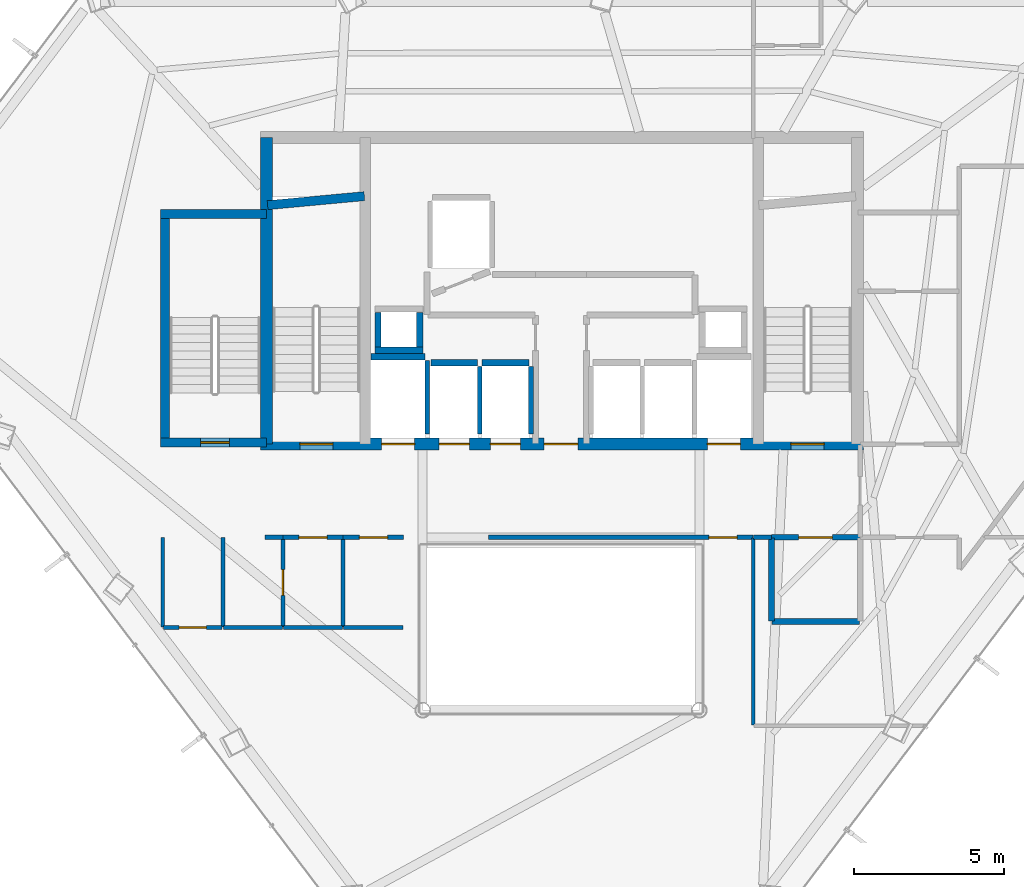
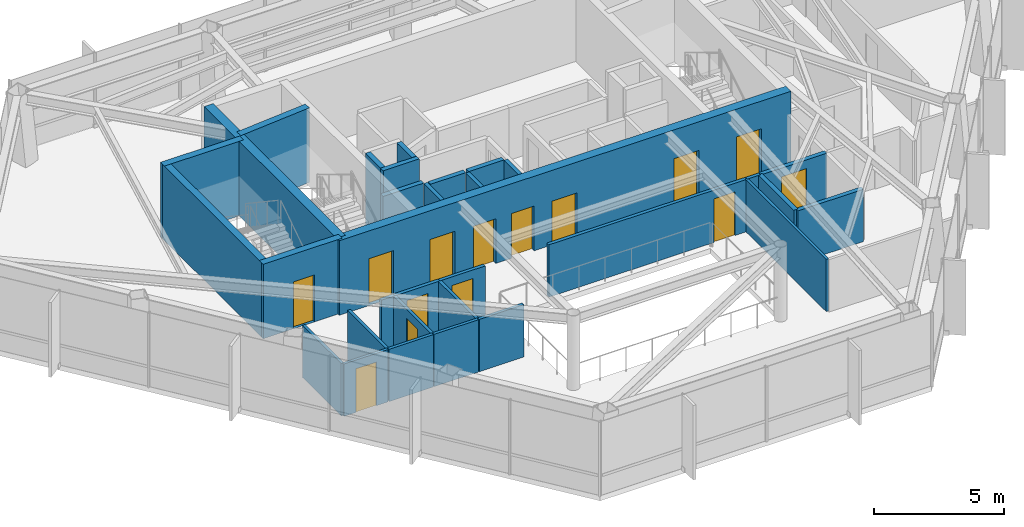
# One storey, part 24 of 27: 32 walls, 14 doors, 14 openings.
"""IFC4 building model written with IfcOpenShell, lengths in metres."""

import ifcopenshell
import ifcopenshell.guid

model = None  # the IFC model being written
_history = None  # IfcOwnerHistory: only IFC2X3 demands one
_inside = {}  # id of a spatial element -> (the spatial element, [elements in it])
_under = {}  # id of a project, library or spatial element -> (it, [spatial elements below it])
_declared = {}  # id of a project -> (the project, [libraries it declares])
_typed = {}  # id of a type object -> (the type object, [elements of that type])
_made_of = {}  # id of a material, layer set ... -> (it, [elements and type objects made of it])


def new_model(schema):
    """Start an empty IFC model of exactly this schema.

    Asked for "IFC4X3", IfcOpenShell would pick the latest addendum, in which some entities
    have other attributes; the version numbers below select the first issue.
    IFC2X3 requires an IfcOwnerHistory on every rooted entity: one is made here for all.
    """
    global model, _history
    if schema == "IFC4X3":
        model = ifcopenshell.file(schema_version=(4, 3, 0, 0))
    else:
        model = ifcopenshell.file(schema=schema)
    _inside.clear()
    _under.clear()
    _declared.clear()
    _typed.clear()
    _made_of.clear()
    _history = None
    if model.schema == "IFC2X3":
        org = make("IfcOrganization", Name="unknown")
        user = make(
            "IfcPersonAndOrganization",
            ThePerson=make("IfcPerson", FamilyName="unknown"),
            TheOrganization=org,
        )
        app = make(
            "IfcApplication",
            ApplicationDeveloper=org,
            Version="unknown",
            ApplicationFullName="unknown",
            ApplicationIdentifier="unknown",
        )
        _history = make(
            "IfcOwnerHistory",
            OwningUser=user,
            OwningApplication=app,
            ChangeAction="ADDED",
            CreationDate=0,
        )
    return model


def make(cls, **values):
    """One entity of the class cls with the attributes given. An attribute that is None is left unset."""
    return model.create_entity(
        cls, **{name: value for name, value in values.items() if value is not None}
    )


def rooted(cls, **values):
    """An entity with a GlobalId (a new one), such as an element, a storey or a relation."""
    return make(cls, GlobalId=ifcopenshell.guid.new(), OwnerHistory=_history, **values)


def si_unit(unit_type, name, prefix=None):
    """IfcSIUnit, for example si_unit("LENGTHUNIT", "METRE", prefix="MILLI")."""
    return make("IfcSIUnit", UnitType=unit_type, Prefix=prefix, Name=name)


def assignment(units):
    """IfcUnitAssignment: the units of a project."""
    return None if units is None else make("IfcUnitAssignment", Units=units)


def point(xyz):
    """IfcCartesianPoint."""
    return None if xyz is None else make("IfcCartesianPoint", Coordinates=xyz)


def direction(xyz):
    """IfcDirection."""
    return None if xyz is None else make("IfcDirection", DirectionRatios=xyz)


def frame(location, z_axis=None, x_axis=None):
    """IfcAxis2Placement3D, a coordinate frame: its origin and axes. An axis left out is left unset."""
    return make(
        "IfcAxis2Placement3D",
        Location=point(location),
        Axis=direction(z_axis),
        RefDirection=direction(x_axis),
    )


def frame_2d(location, x_axis=None):
    """IfcAxis2Placement2D, a coordinate frame in the plane: its origin and x axis."""
    return make(
        "IfcAxis2Placement2D", Location=point(location), RefDirection=direction(x_axis)
    )


def origin():
    """The frame at (0, 0, 0) with its axes left unset."""
    return frame((0.0, 0.0, 0.0))


def place(relative_to, where):
    """IfcLocalPlacement: puts the frame where relative to a parent placement (None: the world)."""
    return make(
        "IfcLocalPlacement", PlacementRelTo=relative_to, RelativePlacement=where
    )


def context(
    kind, dimensions, precision=None, world=None, true_north=None, identifier=None
):
    """IfcGeometricRepresentationContext, for example the 3D "Model" context."""
    return make(
        "IfcGeometricRepresentationContext",
        ContextIdentifier=identifier,
        ContextType=kind,
        CoordinateSpaceDimension=dimensions,
        Precision=precision,
        WorldCoordinateSystem=world,
        TrueNorth=true_north,
    )


def subcontext(parent, identifier, kind, view, scale=None):
    """IfcGeometricRepresentationSubContext, for example "Body" below "Model"."""
    return make(
        "IfcGeometricRepresentationSubContext",
        ContextIdentifier=identifier,
        ContextType=kind,
        ParentContext=parent,
        TargetScale=scale,
        TargetView=view,
    )


def project(units=None, contexts=None):
    """IfcProject with its units and contexts."""
    return rooted(
        "IfcProject",
        Name="project",
        RepresentationContexts=contexts,
        UnitsInContext=assignment(units),
    )


def spatial(cls, under=None, at=None, **own):
    """A site, building, storey or space (cls), placed at a placement, below another one or the project."""
    s = rooted(cls, ObjectPlacement=at, **own)
    if under is not None:
        _under.setdefault(under.id(), (under, []))[1].append(s)
    return s


def profile(cls, at=None, kind="AREA", **sizes):
    """A parametric profile (cls). Its sizes go by their IFC names, for example OverallWidth=200.0."""
    return make(cls, ProfileType=kind, Position=at, **sizes)


def rectangle(**sizes):
    """IfcRectangleProfileDef."""
    return profile("IfcRectangleProfileDef", **sizes)


def extrude(swept, where, along, depth):
    """IfcExtrudedAreaSolid: the profile swept, set in the frame where, extruded along a direction by depth."""
    return make(
        "IfcExtrudedAreaSolid",
        SweptArea=swept,
        Position=where,
        ExtrudedDirection=direction(along),
        Depth=depth,
    )


def shape(context_of_items, identifier, shape_type, items):
    """IfcShapeRepresentation: the items that make up one representation, for example the "Body"."""
    return make(
        "IfcShapeRepresentation",
        ContextOfItems=context_of_items,
        RepresentationIdentifier=identifier,
        RepresentationType=shape_type,
        Items=items,
    )


def material(Name=None, Category=None):
    """IfcMaterial."""
    return make("IfcMaterial", Name=Name, Category=Category)


def layer(
    of_material, thickness, ventilated=None, Name=None, Category=None, Priority=None
):
    """IfcMaterialLayer: one layer of a wall or slab, of a material (None: an air gap)."""
    return make(
        "IfcMaterialLayer",
        Material=of_material,
        LayerThickness=thickness,
        IsVentilated=ventilated,
        Name=Name,
        Category=Category,
        Priority=Priority,
    )


def layer_set(layers, Name=None):
    """IfcMaterialLayerSet."""
    return make("IfcMaterialLayerSet", MaterialLayers=layers, LayerSetName=Name)


def made_of(thing, what):
    """Note that an element or type object is made of a material, layer set ...; save() writes the relation."""
    if what is not None:
        _made_of.setdefault(what.id(), (what, []))[1].append(thing)
    return thing


def type_object(cls, material=None, **own):
    """A type object (cls), such as IfcWallType, which elements share."""
    return made_of(rooted(cls, **own), material)


def element(
    cls,
    number,
    at=None,
    inside=None,
    cuts=None,
    type_object=None,
    material=None,
    context=None,
    identifier="Body",
    shape_type=None,
    held_by="IfcProductDefinitionShape",
    body=None,
    shapes=None,
    **own,
):
    """One element of the class cls, such as IfcWall. Its Tag is "e" and its number.

    at: its placement. inside: the storey or other place that contains it. cuts: it is an
    opening in that element (IfcRelVoidsElement). A single representation is given by context,
    identifier, shape_type and body (its items); several are given by shapes. held_by: the class
    of the entity that holds the representations. save() writes the other relations.
    """
    e = rooted(cls, Tag="e%d" % number, ObjectPlacement=at, **own)
    if body is not None:
        shapes = [shape(context, identifier, shape_type, body)]
    if shapes is not None:
        e.Representation = make(held_by, Representations=shapes)
    if inside is not None:
        _inside.setdefault(inside.id(), (inside, []))[1].append(e)
    if cuts is not None:
        rooted(
            "IfcRelVoidsElement", RelatingBuildingElement=cuts, RelatedOpeningElement=e
        )
    if type_object is not None:
        _typed.setdefault(type_object.id(), (type_object, []))[1].append(e)
    return made_of(e, material)


def fill(opening, filler):
    """IfcRelFillsElement: the door or window that sits in an opening."""
    return rooted(
        "IfcRelFillsElement",
        RelatingOpeningElement=opening,
        RelatedBuildingElement=filler,
    )


def aggregate(whole, parts):
    """IfcRelAggregates: a whole, such as a stair, and the parts it consists of."""
    return rooted("IfcRelAggregates", RelatingObject=whole, RelatedObjects=parts)


def save(model, path):
    """Write the relations noted so far, then the file.

    IfcRelAggregates (storeys below a building ...), IfcRelContainedInSpatialStructure (elements
    in a storey), IfcRelDefinesByType, IfcRelAssociatesMaterial and IfcRelDeclares: one each for
    every whole, place, type object, material and project.
    """
    for whole, parts in _under.values():
        aggregate(whole, parts)
    for where, things in _inside.values():
        rooted(
            "IfcRelContainedInSpatialStructure",
            RelatedElements=things,
            RelatingStructure=where,
        )
    for kind, things in _typed.values():
        rooted("IfcRelDefinesByType", RelatedObjects=things, RelatingType=kind)
    for what, things in _made_of.values():
        rooted("IfcRelAssociatesMaterial", RelatedObjects=things, RelatingMaterial=what)
    for by, libraries in _declared.values():
        rooted("IfcRelDeclares", RelatingContext=by, RelatedDefinitions=libraries)
    model.write(path)


model = new_model("IFC4")

# Units and contexts
model_context = context("Model", 3, precision=1e-05, world=origin(), true_north=direction((0.0, 1.0)))
body_context = subcontext(model_context, "Body", "Model", "MODEL_VIEW")
ifc_project = project(units=[si_unit("LENGTHUNIT", "METRE"), si_unit("AREAUNIT", "SQUARE_METRE"), si_unit("VOLUMEUNIT", "CUBIC_METRE"), si_unit("PLANEANGLEUNIT", "RADIAN"), si_unit("MASSUNIT", "GRAM", prefix="KILO")], contexts=[model_context])

# Site, building, storey
site_placement = place(None, origin())
site = spatial("IfcSite", under=ifc_project, at=site_placement, CompositionType="ELEMENT")
building_placement = place(site_placement, origin())
building = spatial("IfcBuilding", under=site, at=building_placement, Name="Zarrinselat Tower", CompositionType="ELEMENT")
storey_placement = place(building_placement, frame((0.0, 0.0, 183.260009765625)))
storey = spatial("IfcBuildingStorey", under=building, at=storey_placement, Name="L45", CompositionType="ELEMENT", Elevation=183.260009765625)

# Wall, opening, door
ifc_material_1 = material(Name="Concrete C40/50", Category="concrete")
ifc_layer_1 = layer(ifc_material_1, 0.18994140625)
ifc_layer_set_1 = layer_set([ifc_layer_1], Name="Concrete C40/50")
wall_type_1 = type_object("IfcWallType", Name="WAL-PART-EI120", PredefinedType="PARTITIONING", material=ifc_layer_set_1)
wall_1_placement = place(storey_placement, frame((45.405029296875, 30.14990234375, 0.0), z_axis=(0.0, 0.0, 1.0), x_axis=(1.0, 0.0, 0.0)))
wall_1 = element("IfcWall", 1, at=wall_1_placement, inside=storey, type_object=wall_type_1, Name="L45 Partition Wall 10", PredefinedType="PARTITIONING", context=body_context, shape_type="SweptSolid", body=[
    extrude(rectangle(XDim=2.925048828125, YDim=0.18994140625, at=frame_2d((1.46240234375, 0.0))), origin(), (0.0, 0.0, 1.0), 2.45703125),
])
opening_1_placement = place(wall_1_placement, frame((0.902587890625, 0.0, 0.0)))
opening_1 = element("IfcOpeningElement", 2, at=opening_1_placement, cuts=wall_1, Name="Opening ID-02", PredefinedType="OPENING", context=body_context, shape_type="SweptSolid", body=[
    extrude(rectangle(XDim=1.1201171875, YDim=2.050048828125, at=frame_2d((0.56005859375, 1.02490234375))), frame((0.0, 0.10498046875, 0.0), z_axis=(0.0, -1.0, 0.0), x_axis=(1.0, 0.0, 0.0)), (0.0, 0.0, 1.0), 0.2099609375),
])
ifc_material_2 = material(Name="Steel S355J2", Category="steel")
door_type_1 = type_object("IfcDoorType", Name="DR-INT-FD60-W", OperationType="NOTDEFINED", PredefinedType="DOOR", material=ifc_material_2)
door_1_placement = place(opening_1_placement, origin())
door_1 = element("IfcDoor", 3, at=door_1_placement, inside=storey, type_object=door_type_1, Name="L45 Interior Door P10", OperationType="SINGLE_SWING_LEFT", OverallHeight=2.050048828125, OverallWidth=1.1201171875, PredefinedType="DOOR", context=body_context, shape_type="SweptSolid", body=[
    extrude(rectangle(XDim=1.1201171875, YDim=2.050048828125, at=frame_2d((0.56005859375, 1.02490234375))), frame((0.0, 0.02490234375, 0.0), z_axis=(0.0, -1.0, 0.0), x_axis=(1.0, 0.0, 0.0)), (0.0, 0.0, 1.0), 0.050048828125),
])
fill(opening_1, door_1)

# Walls
wall_2_placement = place(storey_placement, frame((45.419921875, 27.35009765625, 0.0), z_axis=(0.0, 0.0, 1.0), x_axis=(1.0, 0.0, 0.0)))
element("IfcWall", 4, at=wall_2_placement, inside=storey, type_object=wall_type_1, Name="L45 Partition Wall 17", PredefinedType="PARTITIONING", context=body_context, shape_type="SweptSolid", body=[
    extrude(rectangle(XDim=2.91015625, YDim=0.18994140625, at=frame_2d((1.455078125, 0.0))), origin(), (0.0, 0.0, 1.0), 2.45703125),
])
wall_3_placement = place(storey_placement, frame((45.39990234375, 27.3701171875, 0.0), z_axis=(0.0, 0.0, 1.0), x_axis=(0.0, 1.0, 0.0)))
element("IfcWall", 5, at=wall_3_placement, inside=storey, type_object=wall_type_1, Name="L45 Partition Wall 18", PredefinedType="PARTITIONING", context=body_context, shape_type="SweptSolid", body=[
    extrude(rectangle(XDim=2.759765625, YDim=0.18994140625, at=frame_2d((1.3798828125, 0.0))), origin(), (0.0, 0.0, 1.0), 2.45703125),
])
ifc_material_3 = material(Name="Fire-Rated Gypsum Board Partition", Category="gypsum")
ifc_layer_2 = layer(ifc_material_3, 0.14990234375)
ifc_layer_set_2 = layer_set([ifc_layer_2], Name="Fire-Rated Gypsum Board Partition")
wall_type_2 = type_object("IfcWallType", Name="WAL-PART-EI60", PredefinedType="PARTITIONING", material=ifc_layer_set_2)
wall_4_placement = place(storey_placement, frame((28.550048828125, 30.14990234375, 0.0), z_axis=(0.0, 0.0, 1.0), x_axis=(1.0, 0.0, 0.0)))
element("IfcWall", 6, at=wall_4_placement, inside=storey, type_object=wall_type_2, Name="L45 Partition Wall 12", PredefinedType="PARTITIONING", context=body_context, shape_type="SweptSolid", body=[
    extrude(rectangle(XDim=0.594970703125, YDim=0.14990234375, at=frame_2d((0.29736328125, 0.0))), origin(), (0.0, 0.0, 1.0), 2.45703125),
])

# Wall, opening, door
wall_5_placement = place(storey_placement, frame((29.155029296875, 30.14990234375, 0.0), z_axis=(0.0, 0.0, 1.0), x_axis=(1.0, 0.0, 0.0)))
wall_5 = element("IfcWall", 7, at=wall_5_placement, inside=storey, type_object=wall_type_2, Name="L45 Partition Wall 13", PredefinedType="PARTITIONING", context=body_context, shape_type="SweptSolid", body=[
    extrude(rectangle(XDim=1.989990234375, YDim=0.14990234375, at=frame_2d((0.9951171875, 0.0))), origin(), (0.0, 0.0, 1.0), 2.45703125),
])
opening_2_placement = place(wall_5_placement, frame((0.52490234375, 0.0, 0.0)))
opening_2 = element("IfcOpeningElement", 8, at=opening_2_placement, cuts=wall_5, Name="Opening ID-04", PredefinedType="OPENING", context=body_context, shape_type="SweptSolid", body=[
    extrude(rectangle(XDim=0.93994140625, YDim=2.050048828125, at=frame_2d((0.469970703125, 1.02490234375))), frame((0.0, 0.0849609375, 0.0), z_axis=(0.0, -1.0, 0.0), x_axis=(1.0, 0.0, 0.0)), (0.0, 0.0, 1.0), 0.169921875),
])
ifc_material_4 = material(Name="Fire-Rated Gypsum Board Partition")
door_type_2 = type_object("IfcDoorType", Name="DR-INT-FD30-ENT", OperationType="NOTDEFINED", PredefinedType="DOOR", material=ifc_material_4)
door_2_placement = place(opening_2_placement, origin())
door_2 = element("IfcDoor", 9, at=door_2_placement, inside=storey, type_object=door_type_2, Name="L45 Interior Door P13", OperationType="SINGLE_SWING_LEFT", OverallHeight=2.050048828125, OverallWidth=0.93994140625, PredefinedType="DOOR", context=body_context, shape_type="SweptSolid", body=[
    extrude(rectangle(XDim=0.93994140625, YDim=2.050048828125, at=frame_2d((0.469970703125, 1.02490234375))), frame((0.0, 0.02490234375, 0.0), z_axis=(0.0, -1.0, 0.0), x_axis=(1.0, 0.0, 0.0)), (0.0, 0.0, 1.0), 0.050048828125),
])
fill(opening_2, door_2)

wall_6_placement = place(storey_placement, frame((31.155029296875, 30.14990234375, 0.0), z_axis=(0.0, 0.0, 1.0), x_axis=(1.0, 0.0, 0.0)))
wall_6 = element("IfcWall", 10, at=wall_6_placement, inside=storey, type_object=wall_type_2, Name="L45 Partition Wall 14", PredefinedType="PARTITIONING", context=body_context, shape_type="SweptSolid", body=[
    extrude(rectangle(XDim=2.010009765625, YDim=0.14990234375, at=frame_2d((1.0048828125, 0.0))), origin(), (0.0, 0.0, 1.0), 2.45703125),
])
opening_3_placement = place(wall_6_placement, frame((0.534912109375, 0.0, 0.0)))
opening_3 = element("IfcOpeningElement", 11, at=opening_3_placement, cuts=wall_6, Name="Opening ID-04", PredefinedType="OPENING", context=body_context, shape_type="SweptSolid", body=[
    extrude(rectangle(XDim=0.93994140625, YDim=2.050048828125, at=frame_2d((0.469970703125, 1.02490234375))), frame((0.0, 0.0849609375, 0.0), z_axis=(0.0, -1.0, 0.0), x_axis=(1.0, 0.0, 0.0)), (0.0, 0.0, 1.0), 0.169921875),
])
door_3_placement = place(opening_3_placement, origin())
door_3 = element("IfcDoor", 12, at=door_3_placement, inside=storey, type_object=door_type_2, Name="L45 Interior Door P14", OperationType="SINGLE_SWING_RIGHT", OverallHeight=2.050048828125, OverallWidth=0.93994140625, PredefinedType="DOOR", context=body_context, shape_type="SweptSolid", body=[
    extrude(rectangle(XDim=0.93994140625, YDim=2.050048828125, at=frame_2d((0.469970703125, 1.02490234375))), frame((0.0, 0.02490234375, 0.0), z_axis=(0.0, -1.0, 0.0), x_axis=(1.0, 0.0, 0.0)), (0.0, 0.0, 1.0), 0.050048828125),
])
fill(opening_3, door_3)

wall_7_placement = place(storey_placement, frame((35.985107421875, 30.14990234375, 0.0), z_axis=(0.0, 0.0, 1.0), x_axis=(1.0, 0.0, 0.0)))
wall_7 = element("IfcWall", 13, at=wall_7_placement, inside=storey, type_object=wall_type_2, Name="L45 Partition Wall 15", PredefinedType="PARTITIONING", context=body_context, shape_type="SweptSolid", body=[
    extrude(rectangle(XDim=8.809814453125, YDim=0.14990234375, at=frame_2d((4.40478515625, 0.0))), origin(), (0.0, 0.0, 1.0), 2.45703125),
])
opening_4_placement = place(wall_7_placement, frame((7.3349609375, 0.0, 0.0)))
opening_4 = element("IfcOpeningElement", 14, at=opening_4_placement, cuts=wall_7, Name="Opening ID-04", PredefinedType="OPENING", context=body_context, shape_type="SweptSolid", body=[
    extrude(rectangle(XDim=0.93994140625, YDim=2.050048828125, at=frame_2d((0.469970703125, 1.02490234375))), frame((0.0, 0.0849609375, 0.0), z_axis=(0.0, -1.0, 0.0), x_axis=(1.0, 0.0, 0.0)), (0.0, 0.0, 1.0), 0.169921875),
])
door_4_placement = place(opening_4_placement, origin())
door_4 = element("IfcDoor", 15, at=door_4_placement, inside=storey, type_object=door_type_2, Name="L45 Interior Door P15", OperationType="SINGLE_SWING_LEFT", OverallHeight=2.050048828125, OverallWidth=0.93994140625, PredefinedType="DOOR", context=body_context, shape_type="SweptSolid", body=[
    extrude(rectangle(XDim=0.93994140625, YDim=2.050048828125, at=frame_2d((0.469970703125, 1.02490234375))), frame((0.0, 0.02490234375, 0.0), z_axis=(0.0, -1.0, 0.0), x_axis=(1.0, 0.0, 0.0)), (0.0, 0.0, 1.0), 0.050048828125),
])
fill(opening_4, door_4)

# Wall
wall_8_placement = place(storey_placement, frame((44.804931640625, 30.14990234375, 0.0), z_axis=(0.0, 0.0, 1.0), x_axis=(1.0, 0.0, 0.0)))
element("IfcWall", 16, at=wall_8_placement, inside=storey, type_object=wall_type_2, Name="L45 Partition Wall 16", PredefinedType="PARTITIONING", context=body_context, shape_type="SweptSolid", body=[
    extrude(rectangle(XDim=0.590087890625, YDim=0.14990234375, at=frame_2d((0.294921875, 0.0))), origin(), (0.0, 0.0, 1.0), 2.45703125),
])

# Wall, opening, door
ifc_material_5 = material(Name="Fire-Rated Gypsum Board Partition", Category="gypsum")
ifc_layer_3 = layer(ifc_material_5, 0.1201171875)
ifc_layer_set_3 = layer_set([ifc_layer_3], Name="Fire-Rated Gypsum Board Partition")
wall_type_3 = type_object("IfcWallType", Name="WAL-PART-STD", PredefinedType="PARTITIONING", material=ifc_layer_set_3)
wall_9_placement = place(storey_placement, frame((25.169921875, 27.14990234375, 0.0), z_axis=(0.0, 0.0, 1.0), x_axis=(1.0, 0.0, 0.0)))
wall_9 = element("IfcWall", 17, at=wall_9_placement, inside=storey, type_object=wall_type_3, Name="L45 Partition Wall 31", PredefinedType="PARTITIONING", context=body_context, shape_type="SweptSolid", body=[
    extrude(rectangle(XDim=1.9599609375, YDim=0.1201171875, at=frame_2d((0.97998046875, 0.0))), origin(), (0.0, 0.0, 1.0), 2.45703125),
])
opening_5_placement = place(wall_9_placement, frame((0.530029296875, 0.0, 0.0)))
opening_5 = element("IfcOpeningElement", 18, at=opening_5_placement, cuts=wall_9, Name="Opening ID-05", PredefinedType="OPENING", context=body_context, shape_type="SweptSolid", body=[
    extrude(rectangle(XDim=0.89990234375, YDim=2.050048828125, at=frame_2d((0.449951171875, 1.02490234375))), frame((0.0, 0.070068359375, 0.0), z_axis=(0.0, -1.0, 0.0), x_axis=(1.0, 0.0, 0.0)), (0.0, 0.0, 1.0), 0.14013671875),
])
ifc_material_6 = material(Name="Extruded Aluminium Alloy EN AW-6063 T6", Category="aluminium")
door_type_3 = type_object("IfcDoorType", Name="DR-INT-STD-920", OperationType="NOTDEFINED", PredefinedType="DOOR", material=ifc_material_6)
door_5_placement = place(opening_5_placement, origin())
door_5 = element("IfcDoor", 19, at=door_5_placement, inside=storey, type_object=door_type_3, Name="L45 Interior Door P31", OperationType="SINGLE_SWING_RIGHT", OverallHeight=2.050048828125, OverallWidth=0.89990234375, PredefinedType="DOOR", context=body_context, shape_type="SweptSolid", body=[
    extrude(rectangle(XDim=0.89990234375, YDim=2.050048828125, at=frame_2d((0.449951171875, 1.02490234375))), frame((0.0, 0.02490234375, 0.0), z_axis=(0.0, -1.0, 0.0), x_axis=(1.0, 0.0, 0.0)), (0.0, 0.0, 1.0), 0.050048828125),
])
fill(opening_5, door_5)

# Walls
wall_10_placement = place(storey_placement, frame((25.14990234375, 27.169921875, 0.0), z_axis=(0.0, 0.0, 1.0), x_axis=(0.0, 1.0, 0.0)))
element("IfcWall", 20, at=wall_10_placement, inside=storey, type_object=wall_type_3, Name="L45 Partition Wall 32", PredefinedType="PARTITIONING", context=body_context, shape_type="SweptSolid", body=[
    extrude(rectangle(XDim=2.97998046875, YDim=0.1201171875, at=frame_2d((1.489990234375, 0.0))), origin(), (0.0, 0.0, 1.0), 2.45703125),
])
wall_11_placement = place(storey_placement, frame((44.800048828125, 23.902587890625, 0.0), z_axis=(0.0, 0.0, 1.0), x_axis=(0.0, 1.0, 0.0)))
element("IfcWall", 21, at=wall_11_placement, inside=storey, type_object=wall_type_3, Name="L45 Partition Wall 38", PredefinedType="PARTITIONING", context=body_context, shape_type="SweptSolid", body=[
    extrude(rectangle(XDim=6.227294921875, YDim=0.1201171875, at=frame_2d((3.11376953125, 0.0))), origin(), (0.0, 0.0, 1.0), 2.45703125),
])
ifc_material_7 = material(Name="Fire-Rated Gypsum Board Partition", Category="gypsum")
ifc_layer_4 = layer(ifc_material_7, 0.135009765625)
ifc_layer_set_4 = layer_set([ifc_layer_4], Name="Fire-Rated Gypsum Board Partition")
wall_type_4 = type_object("IfcWallType", Name="WAL-PART-WET", PredefinedType="PARTITIONING", material=ifc_layer_set_4)
wall_12_placement = place(storey_placement, frame((27.14990234375, 27.169921875, 0.0), z_axis=(0.0, 0.0, 1.0), x_axis=(0.0, 1.0, 0.0)))
element("IfcWall", 22, at=wall_12_placement, inside=storey, type_object=wall_type_4, Name="L45 Partition Wall 30", PredefinedType="PARTITIONING", context=body_context, shape_type="SweptSolid", body=[
    extrude(rectangle(XDim=2.97998046875, YDim=0.135009765625, at=frame_2d((1.489990234375, 0.0))), origin(), (0.0, 0.0, 1.0), 2.45703125),
])

# Wall, opening, door
wall_13_placement = place(storey_placement, frame((29.14990234375, 27.169921875, 0.0), z_axis=(0.0, 0.0, 1.0), x_axis=(0.0, 1.0, 0.0)))
wall_13 = element("IfcWall", 23, at=wall_13_placement, inside=storey, type_object=wall_type_4, Name="L45 Partition Wall 33", PredefinedType="PARTITIONING", context=body_context, shape_type="SweptSolid", body=[
    extrude(rectangle(XDim=2.9599609375, YDim=0.135009765625, at=frame_2d((1.47998046875, 0.0))), origin(), (0.0, 0.0, 1.0), 2.45703125),
])
opening_6_placement = place(wall_13_placement, frame((1.050048828125, 0.0, 0.0)))
opening_6 = element("IfcOpeningElement", 24, at=opening_6_placement, cuts=wall_13, Name="Opening ID-06", PredefinedType="OPENING", context=body_context, shape_type="SweptSolid", body=[
    extrude(rectangle(XDim=0.860107421875, YDim=2.050048828125, at=frame_2d((0.43017578125, 1.02490234375))), frame((0.0, 0.077392578125, 0.0), z_axis=(0.0, -1.0, 0.0), x_axis=(1.0, 0.0, 0.0)), (0.0, 0.0, 1.0), 0.155029296875),
])
ifc_material_8 = material(Name="Extruded Aluminium Alloy EN AW-6063 T6", Category="aluminium")
door_type_4 = type_object("IfcDoorType", Name="DR-INT-WET-900", OperationType="NOTDEFINED", PredefinedType="DOOR", material=ifc_material_8)
door_6_placement = place(opening_6_placement, origin())
door_6 = element("IfcDoor", 25, at=door_6_placement, inside=storey, type_object=door_type_4, Name="L45 Interior Door P33", OperationType="SINGLE_SWING_LEFT", OverallHeight=2.050048828125, OverallWidth=0.860107421875, PredefinedType="DOOR", context=body_context, shape_type="SweptSolid", body=[
    extrude(rectangle(XDim=0.860107421875, YDim=2.050048828125, at=frame_2d((0.43017578125, 1.02490234375))), frame((0.0, 0.02490234375, 0.0), z_axis=(0.0, -1.0, 0.0), x_axis=(1.0, 0.0, 0.0)), (0.0, 0.0, 1.0), 0.050048828125),
])
fill(opening_6, door_6)

# Walls
wall_14_placement = place(storey_placement, frame((27.169921875, 27.14990234375, 0.0), z_axis=(0.0, 0.0, 1.0), x_axis=(1.0, 0.0, 0.0)))
element("IfcWall", 26, at=wall_14_placement, inside=storey, type_object=wall_type_4, Name="L45 Partition Wall 34", PredefinedType="PARTITIONING", context=body_context, shape_type="SweptSolid", body=[
    extrude(rectangle(XDim=1.9599609375, YDim=0.135009765625, at=frame_2d((0.97998046875, 0.0))), origin(), (0.0, 0.0, 1.0), 2.45703125),
])
wall_15_placement = place(storey_placement, frame((31.14990234375, 27.169921875, 0.0), z_axis=(0.0, 0.0, 1.0), x_axis=(0.0, 1.0, 0.0)))
element("IfcWall", 27, at=wall_15_placement, inside=storey, type_object=wall_type_4, Name="L45 Partition Wall 35", PredefinedType="PARTITIONING", context=body_context, shape_type="SweptSolid", body=[
    extrude(rectangle(XDim=2.9599609375, YDim=0.135009765625, at=frame_2d((1.47998046875, 0.0))), origin(), (0.0, 0.0, 1.0), 2.45703125),
])
wall_16_placement = place(storey_placement, frame((29.169921875, 27.14990234375, 0.0), z_axis=(0.0, 0.0, 1.0), x_axis=(1.0, 0.0, 0.0)))
element("IfcWall", 28, at=wall_16_placement, inside=storey, type_object=wall_type_4, Name="L45 Partition Wall 36", PredefinedType="PARTITIONING", context=body_context, shape_type="SweptSolid", body=[
    extrude(rectangle(XDim=1.9599609375, YDim=0.135009765625, at=frame_2d((0.97998046875, 0.0))), origin(), (0.0, 0.0, 1.0), 2.45703125),
])
wall_17_placement = place(storey_placement, frame((31.169921875, 27.14990234375, 0.0), z_axis=(0.0, 0.0, 1.0), x_axis=(1.0, 0.0, 0.0)))
element("IfcWall", 29, at=wall_17_placement, inside=storey, type_object=wall_type_4, Name="L45 Partition Wall 37", PredefinedType="PARTITIONING", context=body_context, shape_type="SweptSolid", body=[
    extrude(rectangle(XDim=1.97998046875, YDim=0.135009765625, at=frame_2d((0.989990234375, 0.0))), origin(), (0.0, 0.0, 1.0), 2.45703125),
])
ifc_material_9 = material(Name="Concrete C40/50", Category="concrete")
ifc_layer_5 = layer(ifc_material_9, 0.2099609375)
ifc_layer_set_5 = layer_set([ifc_layer_5], Name="Concrete C40/50")
wall_type_5 = type_object("IfcWallType", Name="WAL-SHAFT-210", PredefinedType="SOLIDWALL", material=ifc_layer_set_5)
wall_18_placement = place(storey_placement, frame((32.080078125, 36.155029296875, 0.0), z_axis=(0.0, 0.0, 1.0), x_axis=(1.0, 0.0, 0.0)))
element("IfcWall", 30, at=wall_18_placement, inside=storey, type_object=wall_type_5, Name="L45 Lift FFL1 North Shaft Wall", PredefinedType="SOLIDWALL", context=body_context, shape_type="SweptSolid", body=[
    extrude(rectangle(XDim=1.7998046875, YDim=0.2099609375, at=frame_2d((0.89990234375, 0.0))), origin(), (0.0, 0.0, 1.0), 2.471923828125),
])
wall_19_placement = place(storey_placement, frame((33.949951171875, 33.580078125, 0.0), z_axis=(0.0, 0.0, 1.0), x_axis=(0.0, 1.0, 0.0)))
element("IfcWall", 31, at=wall_19_placement, inside=storey, type_object=wall_type_5, Name="L45 Lift FFL1 E Shaft Wall", PredefinedType="SOLIDWALL", context=body_context, shape_type="SweptSolid", body=[
    extrude(rectangle(XDim=2.449951171875, YDim=0.159912109375, at=frame_2d((1.22509765625, 0.0))), origin(), (0.0, 0.0, 1.0), 2.471923828125),
])
wall_20_placement = place(storey_placement, frame((34.070068359375, 35.955078125, 0.0), z_axis=(0.0, 0.0, 1.0), x_axis=(1.0, 0.0, 0.0)))
element("IfcWall", 32, at=wall_20_placement, inside=storey, type_object=wall_type_5, Name="L45 Lift PL5 North Shaft Wall", PredefinedType="SOLIDWALL", context=body_context, shape_type="SweptSolid", body=[
    extrude(rectangle(XDim=1.559814453125, YDim=0.2099609375, at=frame_2d((0.77978515625, 0.0))), origin(), (0.0, 0.0, 1.0), 2.471923828125),
])
wall_21_placement = place(storey_placement, frame((35.699951171875, 33.580078125, 0.0), z_axis=(0.0, 0.0, 1.0), x_axis=(0.0, 1.0, 0.0)))
element("IfcWall", 33, at=wall_21_placement, inside=storey, type_object=wall_type_5, Name="L45 Lift PL5 E Shaft Wall", PredefinedType="SOLIDWALL", context=body_context, shape_type="SweptSolid", body=[
    extrude(rectangle(XDim=2.25, YDim=0.159912109375, at=frame_2d((1.125, 0.0))), origin(), (0.0, 0.0, 1.0), 2.471923828125),
])
wall_22_placement = place(storey_placement, frame((35.77001953125, 35.955078125, 0.0), z_axis=(0.0, 0.0, 1.0), x_axis=(1.0, 0.0, 0.0)))
element("IfcWall", 34, at=wall_22_placement, inside=storey, type_object=wall_type_5, Name="L45 Lift PL6 North Shaft Wall", PredefinedType="SOLIDWALL", context=body_context, shape_type="SweptSolid", body=[
    extrude(rectangle(XDim=1.56005859375, YDim=0.2099609375, at=frame_2d((0.780029296875, 0.0))), origin(), (0.0, 0.0, 1.0), 2.471923828125),
])
wall_23_placement = place(storey_placement, frame((37.39990234375, 33.580078125, 0.0), z_axis=(0.0, 0.0, 1.0), x_axis=(0.0, 1.0, 0.0)))
element("IfcWall", 35, at=wall_23_placement, inside=storey, type_object=wall_type_5, Name="L45 Lift PL6 E Shaft Wall", PredefinedType="SOLIDWALL", context=body_context, shape_type="SweptSolid", body=[
    extrude(rectangle(XDim=2.25, YDim=0.159912109375, at=frame_2d((1.125, 0.0))), origin(), (0.0, 0.0, 1.0), 2.471923828125),
])
wall_24_placement = place(storey_placement, frame((32.2099609375, 36.375, 0.0), z_axis=(0.0, 0.0, 1.0), x_axis=(1.0, 0.0, 0.0)))
element("IfcWall", 36, at=wall_24_placement, inside=storey, type_object=wall_type_5, Name="L45 Core Riser RSR-W S Shaft Wall", PredefinedType="SOLIDWALL", context=body_context, shape_type="SweptSolid", body=[
    extrude(rectangle(XDim=1.60009765625, YDim=0.2099609375, at=frame_2d((0.800048828125, 0.0))), origin(), (0.0, 0.0, 1.0), 3.5),
])
for number, where, z_axis, x_axis, name in (
    (37, (32.31494140625, 36.485107421875, 0.0), (0.0, 0.0, 1.0), (0.0, 1.0, 0.0), "L45 Core Riser RSR-W W Shaft Wall"),
    (38, (33.705078125, 36.485107421875, 0.0), (0.0, 0.0, 1.0), (0.0, 1.0, 0.0), "L45 Core Riser RSR-W E Shaft Wall"),
):
    element("IfcWall", number, at=place(storey_placement, frame(where, z_axis=z_axis, x_axis=x_axis)), inside=storey, type_object=wall_type_5, Name=name, PredefinedType="SOLIDWALL", context=body_context, shape_type="SweptSolid", body=[
        extrude(rectangle(XDim=1.14990234375, YDim=0.2099609375, at=frame_2d((0.574951171875, 0.0))), origin(), (0.0, 0.0, 1.0), 3.5),
    ])
ifc_material_10 = material(Name="Concrete C40/50", Category="concrete")
ifc_layer_6 = layer(ifc_material_10, 0.300048828125)
ifc_layer_set_6 = layer_set([ifc_layer_6], Name="Concrete C40/50")
wall_type_6 = type_object("IfcWallType", Name="WAL-SHEAR-300", PredefinedType="SHEAR", material=ifc_layer_set_6)
wall_25_placement = place(storey_placement, frame((28.639892578125, 41.199951171875, 0.0), z_axis=(0.0, 0.0, 1.0), x_axis=(0.995687118776, 0.092774789157, 0.0)))
element("IfcWall", 39, at=wall_25_placement, inside=storey, type_object=wall_type_6, Name="L45 Stair 1 North Shaft Wall", PredefinedType="SHEAR", context=body_context, shape_type="SweptSolid", body=[
    extrude(rectangle(XDim=3.234130859375, YDim=0.300048828125, at=frame_2d((1.6171875, 0.0))), origin(), (0.0, 0.0, 1.0), 3.5),
])
wall_26_placement = place(storey_placement, frame((25.080078125, 40.89990234375, 0.0), z_axis=(0.0, 0.0, 1.0), x_axis=(1.0, 0.0, 0.0)))
element("IfcWall", 40, at=wall_26_placement, inside=storey, type_object=wall_type_6, Name="L45 Stair 3 North Shear Wall", PredefinedType="SHEAR", context=body_context, shape_type="SweptSolid", body=[
    extrude(rectangle(XDim=3.52001953125, YDim=0.300048828125, at=frame_2d((1.760009765625, 0.0))), origin(), (0.0, 0.0, 1.0), 3.5),
])

# Wall, opening, door
wall_27_placement = place(storey_placement, frame((25.080078125, 33.300048828125, 0.0), z_axis=(0.0, 0.0, 1.0), x_axis=(1.0, 0.0, 0.0)))
wall_27 = element("IfcWall", 41, at=wall_27_placement, inside=storey, type_object=wall_type_6, Name="L45 Stair 3 South Shear Wall", PredefinedType="SHEAR", context=body_context, shape_type="SweptSolid", body=[
    extrude(rectangle(XDim=3.52001953125, YDim=0.300048828125, at=frame_2d((1.760009765625, 0.0))), origin(), (0.0, 0.0, 1.0), 3.5),
])
opening_7_placement = place(wall_27_placement, frame((1.3349609375, 0.0, 0.0)))
opening_7 = element("IfcOpeningElement", 42, at=opening_7_placement, cuts=wall_27, Name="Opening SD-02", PredefinedType="OPENING", context=body_context, shape_type="SweptSolid", body=[
    extrude(rectangle(XDim=0.949951171875, YDim=2.199951171875, at=frame_2d((0.47509765625, 1.10009765625))), frame((0.0, 0.159912109375, 0.0), z_axis=(0.0, -1.0, 0.0), x_axis=(1.0, 0.0, 0.0)), (0.0, 0.0, 1.0), 0.320068359375),
])
ifc_material_11 = material(Name="Steel S355J2", Category="steel")
door_type_5 = type_object("IfcDoorType", Name="DR-STAIR-1050", OperationType="NOTDEFINED", PredefinedType="DOOR", material=ifc_material_11)
door_7_placement = place(opening_7_placement, origin())
door_7 = element("IfcDoor", 43, at=door_7_placement, inside=storey, type_object=door_type_5, Name="L45 Exit Stair 3 Fire Door", OperationType="SINGLE_SWING_LEFT", OverallHeight=2.199951171875, OverallWidth=0.949951171875, PredefinedType="DOOR", context=body_context, shape_type="SweptSolid", body=[
    extrude(rectangle(XDim=0.949951171875, YDim=2.199951171875, at=frame_2d((0.47509765625, 1.10009765625))), frame((0.0, 0.02490234375, 0.0), z_axis=(0.0, -1.0, 0.0), x_axis=(1.0, 0.0, 0.0)), (0.0, 0.0, 1.0), 0.050048828125),
])
fill(opening_7, door_7)

# Wall
wall_28_placement = place(storey_placement, frame((25.22998046875, 33.300048828125, 0.0), z_axis=(0.0, 0.0, 1.0), x_axis=(0.0, 1.0, 0.0)))
element("IfcWall", 44, at=wall_28_placement, inside=storey, type_object=wall_type_6, Name="L45 Stair 3 West Shear Wall", PredefinedType="SHEAR", context=body_context, shape_type="SweptSolid", body=[
    extrude(rectangle(XDim=7.599853515625, YDim=0.300048828125, at=frame_2d((3.7998046875, 0.0))), origin(), (0.0, 0.0, 1.0), 3.5),
])

# Wall, openings, doors
ifc_material_12 = material(Name="Concrete C60/75", Category="concrete")
ifc_layer_7 = layer(ifc_material_12, 0.39990234375)
ifc_layer_set_7 = layer_set([ifc_layer_7], Name="Concrete C60/75")
wall_type_7 = type_object("IfcWallType", Name="WAL-SHEAR-400", PredefinedType="SHEAR", material=ifc_layer_set_7)
wall_29_placement = place(storey_placement, frame((28.39990234375, 33.25, 0.0), z_axis=(0.0, 0.0, 1.0), x_axis=(1.0, 0.0, 0.0)))
wall_29 = element("IfcWall", 45, at=wall_29_placement, inside=storey, type_object=wall_type_7, Name="L45 South Core Shear Wall", PredefinedType="SHEAR", context=body_context, shape_type="SweptSolid", body=[
    extrude(rectangle(XDim=20.06005859375, YDim=0.39990234375, at=frame_2d((10.030029296875, 0.0))), origin(), (0.0, 0.0, 1.0), 3.5),
])
opening_8_placement = place(wall_29_placement, frame((4.030029296875, 0.0, 0.0)))
opening_8 = element("IfcOpeningElement", 46, at=opening_8_placement, cuts=wall_29, Name="Opening LD-FFL1", PredefinedType="OPENING", context=body_context, shape_type="SweptSolid", body=[
    extrude(rectangle(XDim=1.10009765625, YDim=2.14990234375, at=frame_2d((0.550048828125, 1.074951171875))), frame((0.0, 0.2099609375, 0.0), z_axis=(0.0, -1.0, 0.0), x_axis=(1.0, 0.0, 0.0)), (0.0, 0.0, 1.0), 0.419921875),
])
opening_9_placement = place(wall_29_placement, frame((14.8701171875, 0.0, 0.0)))
opening_9 = element("IfcOpeningElement", 47, at=opening_9_placement, cuts=wall_29, Name="Opening LD-FFL2", PredefinedType="OPENING", context=body_context, shape_type="SweptSolid", body=[
    extrude(rectangle(XDim=1.10009765625, YDim=2.14990234375, at=frame_2d((0.550048828125, 1.074951171875))), frame((0.0, 0.2099609375, 0.0), z_axis=(0.0, -1.0, 0.0), x_axis=(1.0, 0.0, 0.0)), (0.0, 0.0, 1.0), 0.419921875),
])
opening_10_placement = place(wall_29_placement, frame((5.949951171875, 0.0, 0.0)))
opening_10 = element("IfcOpeningElement", 48, at=opening_10_placement, cuts=wall_29, Name="Opening LD-PL5", PredefinedType="OPENING", context=body_context, shape_type="SweptSolid", body=[
    extrude(rectangle(XDim=1.0, YDim=2.10009765625, at=frame_2d((0.5, 1.050048828125))), frame((0.0, 0.2099609375, 0.0), z_axis=(0.0, -1.0, 0.0), x_axis=(1.0, 0.0, 0.0)), (0.0, 0.0, 1.0), 0.419921875),
])
opening_11_placement = place(wall_29_placement, frame((7.64990234375, 0.0, 0.0)))
opening_11 = element("IfcOpeningElement", 49, at=opening_11_placement, cuts=wall_29, Name="Opening LD-PL6", PredefinedType="OPENING", context=body_context, shape_type="SweptSolid", body=[
    extrude(rectangle(XDim=1.0, YDim=2.10009765625, at=frame_2d((0.5, 1.050048828125))), frame((0.0, 0.2099609375, 0.0), z_axis=(0.0, -1.0, 0.0), x_axis=(1.0, 0.0, 0.0)), (0.0, 0.0, 1.0), 0.419921875),
])
opening_12_placement = place(wall_29_placement, frame((1.31005859375, 0.0, 0.0)))
opening_12 = element("IfcOpeningElement", 50, at=opening_12_placement, cuts=wall_29, Name="Opening SD-01", PredefinedType="OPENING", context=body_context, shape_type="SweptSolid", body=[
    extrude(rectangle(XDim=1.10009765625, YDim=2.199951171875, at=frame_2d((0.550048828125, 1.10009765625))), frame((0.0, 0.2099609375, 0.0), z_axis=(0.0, -1.0, 0.0), x_axis=(1.0, 0.0, 0.0)), (0.0, 0.0, 1.0), 0.419921875),
])
opening_13_placement = place(wall_29_placement, frame((9.43994140625, 0.0, 0.0)))
opening_13 = element("IfcOpeningElement", 51, at=opening_13_placement, cuts=wall_29, Name="Opening ID-02", PredefinedType="OPENING", context=body_context, shape_type="SweptSolid", body=[
    extrude(rectangle(XDim=1.1201171875, YDim=2.050048828125, at=frame_2d((0.56005859375, 1.02490234375))), frame((0.0, 0.2099609375, 0.0), z_axis=(0.0, -1.0, 0.0), x_axis=(1.0, 0.0, 0.0)), (0.0, 0.0, 1.0), 0.419921875),
])
opening_14_placement = place(wall_29_placement, frame((17.64990234375, 0.0, 0.0)))
opening_14 = element("IfcOpeningElement", 52, at=opening_14_placement, cuts=wall_29, Name="Opening SD-01", PredefinedType="OPENING", context=body_context, shape_type="SweptSolid", body=[
    extrude(rectangle(XDim=1.10009765625, YDim=2.199951171875, at=frame_2d((0.550048828125, 1.10009765625))), frame((0.0, 0.2099609375, 0.0), z_axis=(0.0, -1.0, 0.0), x_axis=(1.0, 0.0, 0.0)), (0.0, 0.0, 1.0), 0.419921875),
])
door_8_placement = place(opening_13_placement, origin())
door_8 = element("IfcDoor", 53, at=door_8_placement, inside=storey, type_object=door_type_1, Name="L45 Core Service Vestibule Fire Door", OperationType="SINGLE_SWING_LEFT", OverallHeight=2.050048828125, OverallWidth=1.1201171875, PredefinedType="DOOR", context=body_context, shape_type="SweptSolid", body=[
    extrude(rectangle(XDim=1.1201171875, YDim=2.050048828125, at=frame_2d((0.56005859375, 1.02490234375))), frame((0.0, 0.02490234375, 0.0), z_axis=(0.0, -1.0, 0.0), x_axis=(1.0, 0.0, 0.0)), (0.0, 0.0, 1.0), 0.050048828125),
])
fill(opening_13, door_8)
ifc_material_13 = material(Name="Steel S355J2", Category="steel")
door_type_6 = type_object("IfcDoorType", Name="DR-LIFT-FF-1100", OperationType="NOTDEFINED", PredefinedType="DOOR", material=ifc_material_13)
door_9_placement = place(opening_8_placement, origin())
door_9 = element("IfcDoor", 54, at=door_9_placement, inside=storey, type_object=door_type_6, Name="L45 Lift FFL1 Sliding Landing Door", OperationType="SLIDING_TO_LEFT", OverallHeight=2.14990234375, OverallWidth=1.10009765625, PredefinedType="DOOR", context=body_context, shape_type="SweptSolid", body=[
    extrude(rectangle(XDim=1.10009765625, YDim=2.14990234375, at=frame_2d((0.550048828125, 1.074951171875))), frame((0.0, 0.02490234375, 0.0), z_axis=(0.0, -1.0, 0.0), x_axis=(1.0, 0.0, 0.0)), (0.0, 0.0, 1.0), 0.050048828125),
])
fill(opening_8, door_9)
door_10_placement = place(opening_9_placement, origin())
door_10 = element("IfcDoor", 55, at=door_10_placement, inside=storey, type_object=door_type_6, Name="L45 Lift FFL2 Sliding Landing Door", OperationType="SLIDING_TO_RIGHT", OverallHeight=2.14990234375, OverallWidth=1.10009765625, PredefinedType="DOOR", context=body_context, shape_type="SweptSolid", body=[
    extrude(rectangle(XDim=1.10009765625, YDim=2.14990234375, at=frame_2d((0.550048828125, 1.074951171875))), frame((0.0, 0.02490234375, 0.0), z_axis=(0.0, -1.0, 0.0), x_axis=(1.0, 0.0, 0.0)), (0.0, 0.0, 1.0), 0.050048828125),
])
fill(opening_9, door_10)
ifc_material_14 = material(Name="Steel S355J2", Category="steel")
door_type_7 = type_object("IfcDoorType", Name="DR-LIFT-PS-1000", OperationType="NOTDEFINED", PredefinedType="DOOR", material=ifc_material_14)
door_11_placement = place(opening_10_placement, origin())
door_11 = element("IfcDoor", 56, at=door_11_placement, inside=storey, type_object=door_type_7, Name="L45 Lift PL5 Sliding Landing Door", OperationType="SLIDING_TO_LEFT", OverallHeight=2.10009765625, OverallWidth=1.0, PredefinedType="DOOR", context=body_context, shape_type="SweptSolid", body=[
    extrude(rectangle(XDim=1.0, YDim=2.10009765625, at=frame_2d((0.5, 1.050048828125))), frame((0.0, 0.02490234375, 0.0), z_axis=(0.0, -1.0, 0.0), x_axis=(1.0, 0.0, 0.0)), (0.0, 0.0, 1.0), 0.050048828125),
])
fill(opening_10, door_11)
door_12_placement = place(opening_11_placement, origin())
door_12 = element("IfcDoor", 57, at=door_12_placement, inside=storey, type_object=door_type_7, Name="L45 Lift PL6 Sliding Landing Door", OperationType="SLIDING_TO_RIGHT", OverallHeight=2.10009765625, OverallWidth=1.0, PredefinedType="DOOR", context=body_context, shape_type="SweptSolid", body=[
    extrude(rectangle(XDim=1.0, YDim=2.10009765625, at=frame_2d((0.5, 1.050048828125))), frame((0.0, 0.02490234375, 0.0), z_axis=(0.0, -1.0, 0.0), x_axis=(1.0, 0.0, 0.0)), (0.0, 0.0, 1.0), 0.050048828125),
])
fill(opening_11, door_12)
ifc_material_15 = material(Name="Steel S355J2", Category="steel")
door_type_8 = type_object("IfcDoorType", Name="DR-STAIR-1100", OperationType="NOTDEFINED", PredefinedType="DOOR", material=ifc_material_15)
door_13_placement = place(opening_12_placement, origin())
door_13 = element("IfcDoor", 58, at=door_13_placement, inside=storey, type_object=door_type_8, Name="L45 Exit Stair 1 Fire Door", OperationType="SINGLE_SWING_LEFT", OverallHeight=2.199951171875, OverallWidth=1.10009765625, PredefinedType="DOOR", context=body_context, shape_type="SweptSolid", body=[
    extrude(rectangle(XDim=1.10009765625, YDim=2.199951171875, at=frame_2d((0.550048828125, 1.10009765625))), frame((0.0, 0.02490234375, 0.0), z_axis=(0.0, -1.0, 0.0), x_axis=(1.0, 0.0, 0.0)), (0.0, 0.0, 1.0), 0.050048828125),
])
fill(opening_12, door_13)
door_14_placement = place(opening_14_placement, origin())
door_14 = element("IfcDoor", 59, at=door_14_placement, inside=storey, type_object=door_type_8, Name="L45 Exit Stair 2 Fire Door", OperationType="SINGLE_SWING_RIGHT", OverallHeight=2.199951171875, OverallWidth=1.10009765625, PredefinedType="DOOR", context=body_context, shape_type="SweptSolid", body=[
    extrude(rectangle(XDim=1.10009765625, YDim=2.199951171875, at=frame_2d((0.550048828125, 1.10009765625))), frame((0.0, 0.02490234375, 0.0), z_axis=(0.0, -1.0, 0.0), x_axis=(1.0, 0.0, 0.0)), (0.0, 0.0, 1.0), 0.050048828125),
])
fill(opening_14, door_14)

# Wall
wall_30_placement = place(storey_placement, frame((28.60009765625, 33.25, 0.0), z_axis=(0.0, 0.0, 1.0), x_axis=(0.0, 1.0, 0.0)))
element("IfcWall", 60, at=wall_30_placement, inside=storey, type_object=wall_type_7, Name="L45 Core Shear Wall W", PredefinedType="SHEAR", context=body_context, shape_type="SweptSolid", body=[
    extrude(rectangle(XDim=10.199951171875, YDim=0.39990234375, at=frame_2d((5.10009765625, 0.0))), origin(), (0.0, 0.0, 1.0), 3.5),
])

save(model, "model.ifc")
